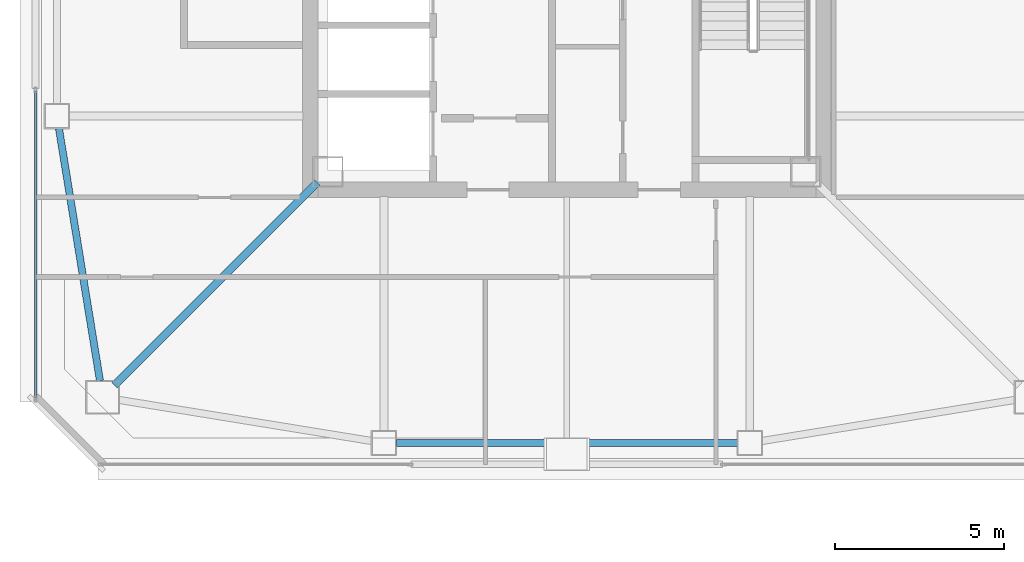
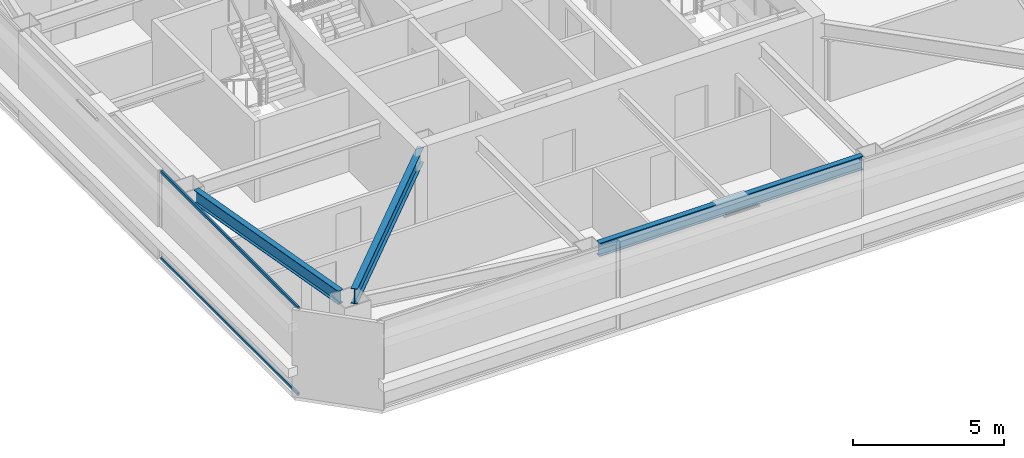
# One storey, part 4 of 39: 3 beams, 2 members, 1 element without a shape of its own.
"""IFC4 building model written with IfcOpenShell, lengths in metres."""

import ifcopenshell
import ifcopenshell.guid

model = None  # the IFC model being written
_history = None  # IfcOwnerHistory: only IFC2X3 demands one
_inside = {}  # id of a spatial element -> (the spatial element, [elements in it])
_under = {}  # id of a project, library or spatial element -> (it, [spatial elements below it])
_declared = {}  # id of a project -> (the project, [libraries it declares])
_typed = {}  # id of a type object -> (the type object, [elements of that type])
_made_of = {}  # id of a material, layer set ... -> (it, [elements and type objects made of it])


def new_model(schema):
    """Start an empty IFC model of exactly this schema.

    Asked for "IFC4X3", IfcOpenShell would pick the latest addendum, in which some entities
    have other attributes; the version numbers below select the first issue.
    IFC2X3 requires an IfcOwnerHistory on every rooted entity: one is made here for all.
    """
    global model, _history
    if schema == "IFC4X3":
        model = ifcopenshell.file(schema_version=(4, 3, 0, 0))
    else:
        model = ifcopenshell.file(schema=schema)
    _inside.clear()
    _under.clear()
    _declared.clear()
    _typed.clear()
    _made_of.clear()
    _history = None
    if model.schema == "IFC2X3":
        org = make("IfcOrganization", Name="unknown")
        user = make(
            "IfcPersonAndOrganization",
            ThePerson=make("IfcPerson", FamilyName="unknown"),
            TheOrganization=org,
        )
        app = make(
            "IfcApplication",
            ApplicationDeveloper=org,
            Version="unknown",
            ApplicationFullName="unknown",
            ApplicationIdentifier="unknown",
        )
        _history = make(
            "IfcOwnerHistory",
            OwningUser=user,
            OwningApplication=app,
            ChangeAction="ADDED",
            CreationDate=0,
        )
    return model


def make(cls, **values):
    """One entity of the class cls with the attributes given. An attribute that is None is left unset."""
    return model.create_entity(
        cls, **{name: value for name, value in values.items() if value is not None}
    )


def rooted(cls, **values):
    """An entity with a GlobalId (a new one), such as an element, a storey or a relation."""
    return make(cls, GlobalId=ifcopenshell.guid.new(), OwnerHistory=_history, **values)


def si_unit(unit_type, name, prefix=None):
    """IfcSIUnit, for example si_unit("LENGTHUNIT", "METRE", prefix="MILLI")."""
    return make("IfcSIUnit", UnitType=unit_type, Prefix=prefix, Name=name)


def assignment(units):
    """IfcUnitAssignment: the units of a project."""
    return None if units is None else make("IfcUnitAssignment", Units=units)


def point(xyz):
    """IfcCartesianPoint."""
    return None if xyz is None else make("IfcCartesianPoint", Coordinates=xyz)


def direction(xyz):
    """IfcDirection."""
    return None if xyz is None else make("IfcDirection", DirectionRatios=xyz)


def frame(location, z_axis=None, x_axis=None):
    """IfcAxis2Placement3D, a coordinate frame: its origin and axes. An axis left out is left unset."""
    return make(
        "IfcAxis2Placement3D",
        Location=point(location),
        Axis=direction(z_axis),
        RefDirection=direction(x_axis),
    )


def frame_2d(location, x_axis=None):
    """IfcAxis2Placement2D, a coordinate frame in the plane: its origin and x axis."""
    return make(
        "IfcAxis2Placement2D", Location=point(location), RefDirection=direction(x_axis)
    )


def origin():
    """The frame at (0, 0, 0) with its axes left unset."""
    return frame((0.0, 0.0, 0.0))


def origin_2d():
    """The frame at (0, 0) in the plane with its x axis left unset."""
    return frame_2d((0.0, 0.0))


def place(relative_to, where):
    """IfcLocalPlacement: puts the frame where relative to a parent placement (None: the world)."""
    return make(
        "IfcLocalPlacement", PlacementRelTo=relative_to, RelativePlacement=where
    )


def context(
    kind, dimensions, precision=None, world=None, true_north=None, identifier=None
):
    """IfcGeometricRepresentationContext, for example the 3D "Model" context."""
    return make(
        "IfcGeometricRepresentationContext",
        ContextIdentifier=identifier,
        ContextType=kind,
        CoordinateSpaceDimension=dimensions,
        Precision=precision,
        WorldCoordinateSystem=world,
        TrueNorth=true_north,
    )


def subcontext(parent, identifier, kind, view, scale=None):
    """IfcGeometricRepresentationSubContext, for example "Body" below "Model"."""
    return make(
        "IfcGeometricRepresentationSubContext",
        ContextIdentifier=identifier,
        ContextType=kind,
        ParentContext=parent,
        TargetScale=scale,
        TargetView=view,
    )


def project(units=None, contexts=None):
    """IfcProject with its units and contexts."""
    return rooted(
        "IfcProject",
        Name="project",
        RepresentationContexts=contexts,
        UnitsInContext=assignment(units),
    )


def spatial(cls, under=None, at=None, **own):
    """A site, building, storey or space (cls), placed at a placement, below another one or the project."""
    s = rooted(cls, ObjectPlacement=at, **own)
    if under is not None:
        _under.setdefault(under.id(), (under, []))[1].append(s)
    return s


def profile(cls, at=None, kind="AREA", **sizes):
    """A parametric profile (cls). Its sizes go by their IFC names, for example OverallWidth=200.0."""
    return make(cls, ProfileType=kind, Position=at, **sizes)


def hollow_rectangle(**sizes):
    """IfcRectangleHollowProfileDef."""
    return profile("IfcRectangleHollowProfileDef", **sizes)


def i_section(**sizes):
    """IfcIShapeProfileDef."""
    return profile("IfcIShapeProfileDef", **sizes)


def extrude(swept, where, along, depth):
    """IfcExtrudedAreaSolid: the profile swept, set in the frame where, extruded along a direction by depth."""
    return make(
        "IfcExtrudedAreaSolid",
        SweptArea=swept,
        Position=where,
        ExtrudedDirection=direction(along),
        Depth=depth,
    )


def shape(context_of_items, identifier, shape_type, items):
    """IfcShapeRepresentation: the items that make up one representation, for example the "Body"."""
    return make(
        "IfcShapeRepresentation",
        ContextOfItems=context_of_items,
        RepresentationIdentifier=identifier,
        RepresentationType=shape_type,
        Items=items,
    )


def material(Name=None, Category=None):
    """IfcMaterial."""
    return make("IfcMaterial", Name=Name, Category=Category)


def material_profile(
    of_material, cross_section, Name=None, Category=None, Priority=None
):
    """IfcMaterialProfile: a cross section and its material."""
    return make(
        "IfcMaterialProfile",
        Name=Name,
        Material=of_material,
        Profile=cross_section,
        Priority=Priority,
        Category=Category,
    )


def profile_set(profiles, Name=None, composite=None):
    """IfcMaterialProfileSet."""
    return make(
        "IfcMaterialProfileSet",
        Name=Name,
        MaterialProfiles=profiles,
        CompositeProfile=composite,
    )


def made_of(thing, what):
    """Note that an element or type object is made of a material, layer set ...; save() writes the relation."""
    if what is not None:
        _made_of.setdefault(what.id(), (what, []))[1].append(thing)
    return thing


def type_object(cls, material=None, **own):
    """A type object (cls), such as IfcWallType, which elements share."""
    return made_of(rooted(cls, **own), material)


def element(
    cls,
    number,
    at=None,
    inside=None,
    cuts=None,
    type_object=None,
    material=None,
    context=None,
    identifier="Body",
    shape_type=None,
    held_by="IfcProductDefinitionShape",
    body=None,
    shapes=None,
    **own,
):
    """One element of the class cls, such as IfcWall. Its Tag is "e" and its number.

    at: its placement. inside: the storey or other place that contains it. cuts: it is an
    opening in that element (IfcRelVoidsElement). A single representation is given by context,
    identifier, shape_type and body (its items); several are given by shapes. held_by: the class
    of the entity that holds the representations. save() writes the other relations.
    """
    e = rooted(cls, Tag="e%d" % number, ObjectPlacement=at, **own)
    if body is not None:
        shapes = [shape(context, identifier, shape_type, body)]
    if shapes is not None:
        e.Representation = make(held_by, Representations=shapes)
    if inside is not None:
        _inside.setdefault(inside.id(), (inside, []))[1].append(e)
    if cuts is not None:
        rooted(
            "IfcRelVoidsElement", RelatingBuildingElement=cuts, RelatedOpeningElement=e
        )
    if type_object is not None:
        _typed.setdefault(type_object.id(), (type_object, []))[1].append(e)
    return made_of(e, material)


def aggregate(whole, parts):
    """IfcRelAggregates: a whole, such as a stair, and the parts it consists of."""
    return rooted("IfcRelAggregates", RelatingObject=whole, RelatedObjects=parts)


def save(model, path):
    """Write the relations noted so far, then the file.

    IfcRelAggregates (storeys below a building ...), IfcRelContainedInSpatialStructure (elements
    in a storey), IfcRelDefinesByType, IfcRelAssociatesMaterial and IfcRelDeclares: one each for
    every whole, place, type object, material and project.
    """
    for whole, parts in _under.values():
        aggregate(whole, parts)
    for where, things in _inside.values():
        rooted(
            "IfcRelContainedInSpatialStructure",
            RelatedElements=things,
            RelatingStructure=where,
        )
    for kind, things in _typed.values():
        rooted("IfcRelDefinesByType", RelatedObjects=things, RelatingType=kind)
    for what, things in _made_of.values():
        rooted("IfcRelAssociatesMaterial", RelatedObjects=things, RelatingMaterial=what)
    for by, libraries in _declared.values():
        rooted("IfcRelDeclares", RelatingContext=by, RelatedDefinitions=libraries)
    model.write(path)


model = new_model("IFC4")

# Units and contexts
model_context = context("Model", 3, precision=1e-05, world=origin(), true_north=direction((0.0, 1.0)))
body_context = subcontext(model_context, "Body", "Model", "MODEL_VIEW")
ifc_project = project(units=[si_unit("LENGTHUNIT", "METRE"), si_unit("AREAUNIT", "SQUARE_METRE"), si_unit("VOLUMEUNIT", "CUBIC_METRE"), si_unit("PLANEANGLEUNIT", "RADIAN"), si_unit("MASSUNIT", "GRAM", prefix="KILO")], contexts=[model_context])

# Site, building, storey
site_placement = place(None, origin())
site = spatial("IfcSite", under=ifc_project, at=site_placement, CompositionType="ELEMENT")
building_placement = place(site_placement, origin())
building = spatial("IfcBuilding", under=site, at=building_placement, Name="Tashvorn Skyway Center", CompositionType="ELEMENT")
storey_placement = place(building_placement, frame((0.0, 0.0, 243.25)))
storey = spatial("IfcBuildingStorey", under=building, at=storey_placement, Name="L66", CompositionType="ELEMENT", Elevation=243.25)

# Beams
ifc_material_1 = material(Name="Steel ASTM A992 Grade 50", Category="steel")
ifc_material_profile_1 = material_profile(ifc_material_1, i_section(OverallWidth=0.22998046875, OverallDepth=0.616943359375, WebThickness=0.01318359375, FlangeThickness=0.022216796875, at=origin_2d()), Name="W24X94")
ifc_profile_set_1 = profile_set([ifc_material_profile_1], Name="Steel ASTM A992 Grade 50")
beam_type_1 = type_object("IfcBeamType", Name="BM-BEAM-W24X94", PredefinedType="BEAM", material=ifc_profile_set_1)
beam_1_placement = place(storey_placement, frame((28.64990234375, 18.64990234375, 2.94140625), z_axis=(0.707106781187, 0.707106781187, 0.0), x_axis=(-0.707106781187, 0.707106781187, 0.0)))
element("IfcBeam", 1, at=beam_1_placement, inside=storey, type_object=beam_type_1, Name="Tower 1 L66 Primary Floor Girder MC-SW", PredefinedType="BEAM", context=body_context, shape_type="SweptSolid", body=[
    extrude(i_section(OverallWidth=0.22998046875, OverallDepth=0.616943359375, WebThickness=0.01318359375, FlangeThickness=0.022216796875, at=origin_2d()), origin(), (0.0, 0.0, 1.0), 8.464599609375),
])
ifc_material_profile_2 = material_profile(ifc_material_1, i_section(OverallWidth=0.2109375, OverallDepth=0.5390625, WebThickness=0.01171875, FlangeThickness=0.018798828125, at=origin_2d()), Name="W21X73")
ifc_profile_set_2 = profile_set([ifc_material_profile_2], Name="Steel ASTM A992 Grade 50")
beam_type_2 = type_object("IfcBeamType", Name="BM-SPANDREL-W21X73", PredefinedType="SPANDREL", material=ifc_profile_set_2)
beam_2_placement = place(storey_placement, frame((36.969970703125, 16.949951171875, 2.98046875), z_axis=(1.0, 0.0, 0.0), x_axis=(0.0, 1.0, 0.0)))
element("IfcBeam", 2, at=beam_2_placement, inside=storey, type_object=beam_type_2, Name="Tower 1 L66 Spandrel Beam 02", PredefinedType="SPANDREL", context=body_context, shape_type="SweptSolid", body=[
    extrude(i_section(OverallWidth=0.2109375, OverallDepth=0.5390625, WebThickness=0.01171875, FlangeThickness=0.018798828125, at=origin_2d()), origin(), (0.0, 0.0, 1.0), 10.06005859375),
])
beam_3_placement = place(storey_placement, frame((27.009521484375, 26.23486328125, 2.98046875), z_axis=(0.160514302677, -0.987033514444, 0.0), x_axis=(0.987033514444, 0.160514302677, 0.0)))
element("IfcBeam", 3, at=beam_3_placement, inside=storey, type_object=beam_type_2, Name="Tower 1 L66 Spandrel Beam 12", PredefinedType="SPANDREL", context=body_context, shape_type="SweptSolid", body=[
    extrude(i_section(OverallWidth=0.2109375, OverallDepth=0.5390625, WebThickness=0.01171875, FlangeThickness=0.018798828125, at=origin_2d()), origin(), (0.0, 0.0, 1.0), 7.544189453125),
])

# Curtain wall, members
ifc_material_2 = material(Name="Thermally broken bronze-anodized aluminium 6063-T6", Category="aluminium")
curtain_wall_type = type_object("IfcCurtainWallType", Name="CW-CW-Z5", PredefinedType="NOTDEFINED", material=ifc_material_2)
curtain_wall_placement = place(storey_placement, origin())
curtain_wall = element("IfcCurtainWall", 4, at=curtain_wall_placement, inside=storey, type_object=curtain_wall_type, Name="Tower 1 L66 West Unitised Curtain Wall Glazing Group 1", PredefinedType="NOTDEFINED")
ifc_material_profile_3 = material_profile(ifc_material_2, hollow_rectangle(XDim=0.070068359375, YDim=0.114990234375, WallThickness=0.00390625, at=origin_2d()), Name="ALU-TRAN-70x115")
ifc_profile_set_3 = profile_set([ifc_material_profile_3], Name="Thermally broken bronze-anodized aluminium 6063-T6")
member_type = type_object("IfcMemberType", Name="CWT-CW-Z5", PredefinedType="USERDEFINED", material=ifc_profile_set_3)
member_1_placement = place(storey_placement, frame((26.320068359375, 18.2900390625, 0.034912109375), z_axis=(0.0, 1.0, 0.0), x_axis=(-1.0, 0.0, 0.0)))
member_1 = element("IfcMember", 5, at=member_1_placement, type_object=member_type, Name="CW-Z5 transom 1.1", ObjectType="TRANSOM", PredefinedType="USERDEFINED", context=body_context, shape_type="SweptSolid", body=[
    extrude(hollow_rectangle(XDim=0.070068359375, YDim=0.114990234375, WallThickness=0.00390625, at=origin_2d()), origin(), (0.0, 0.0, 1.0), 9.046630859375),
])
member_2_placement = place(storey_placement, frame((26.320068359375, 18.2900390625, 3.514892578125), z_axis=(0.0, 1.0, 0.0), x_axis=(-1.0, 0.0, 0.0)))
member_2 = element("IfcMember", 6, at=member_2_placement, type_object=member_type, Name="CW-Z5 transom 1.2", ObjectType="TRANSOM", PredefinedType="USERDEFINED", context=body_context, shape_type="SweptSolid", body=[
    extrude(hollow_rectangle(XDim=0.070068359375, YDim=0.114990234375, WallThickness=0.00390625, at=origin_2d()), origin(), (0.0, 0.0, 1.0), 9.046630859375),
])
aggregate(curtain_wall, [member_1, member_2])

save(model, "model.ifc")
